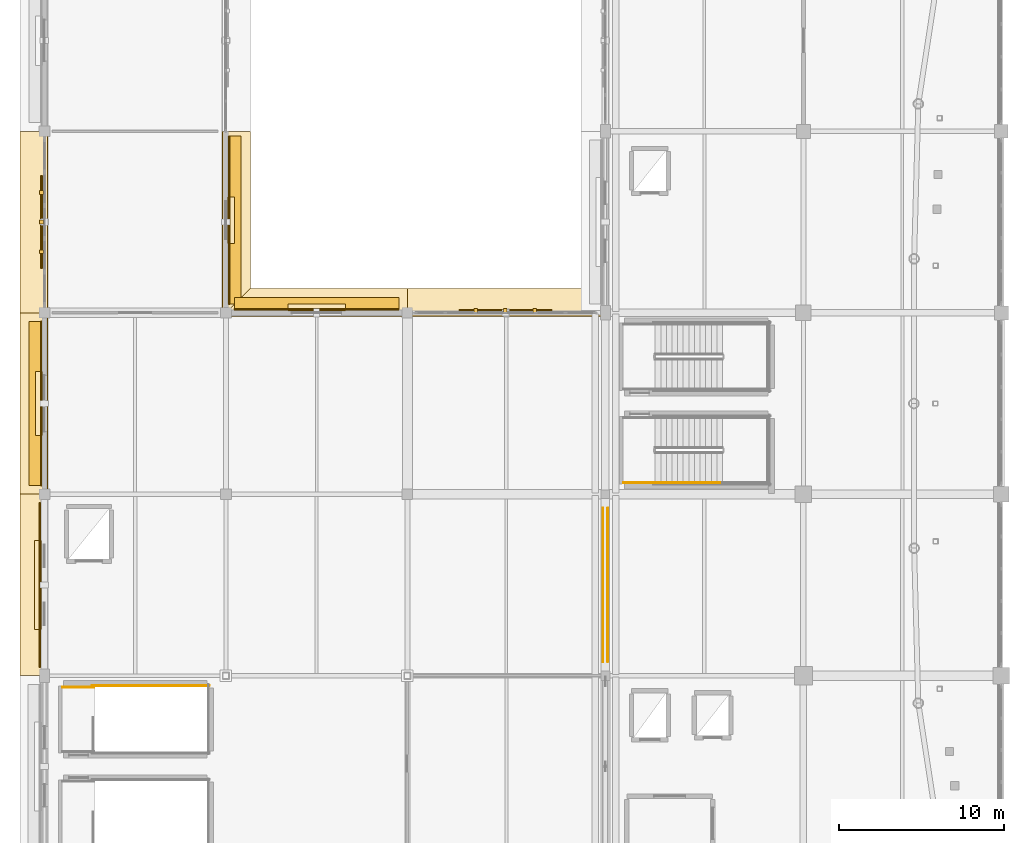
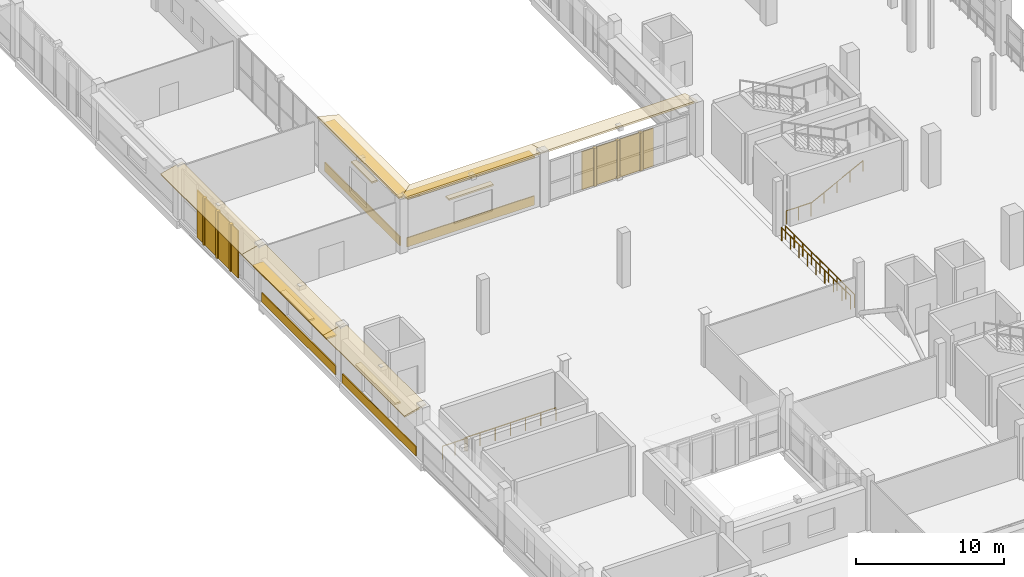
# One storey, part 99 of 118: 20 coverings, 6 railings, 5 shading devices.
"""IFC4 building model written with IfcOpenShell, lengths in metres."""

from ifc_helpers import new_model, si_unit, direction, frame, origin, origin_2d, place, context, subcontext, project, spatial, polyline, rectangle, circle, outline, extrude, material, layer, layer_set, type_object, element, save


model = new_model("IFC4")

# Units and contexts
model_context = context("Model", 3, precision=1e-05, world=origin(), true_north=direction((0.0, 1.0)))
body_context = subcontext(model_context, "Body", "Model", "MODEL_VIEW")
ifc_project = project(units=[si_unit("LENGTHUNIT", "METRE"), si_unit("AREAUNIT", "SQUARE_METRE"), si_unit("VOLUMEUNIT", "CUBIC_METRE"), si_unit("PLANEANGLEUNIT", "RADIAN"), si_unit("MASSUNIT", "GRAM", prefix="KILO")], contexts=[model_context])

# Site, building, storey
site_placement = place(None, origin())
site = spatial("IfcSite", under=ifc_project, at=site_placement, CompositionType="ELEMENT")
building_placement = place(site_placement, origin())
building = spatial("IfcBuilding", under=site, at=building_placement, Name="Luwafu Chhajja Arena", CompositionType="ELEMENT")
storey_placement = place(building_placement, frame((0.0, 0.0, 10.199951171875)))
storey = spatial("IfcBuildingStorey", under=building, at=storey_placement, Name="L02", CompositionType="ELEMENT", Elevation=10.199951171875)

# Coverings
ifc_material_1 = material(Name="Red laterite sandstone cladding", Category="masonry")
ifc_layer_1 = layer(ifc_material_1, 0.074951171875, Name="Red laterite sandstone cladding")
ifc_layer_set_1 = layer_set([ifc_layer_1], Name="Red laterite sandstone cladding")
covering_type = type_object("IfcCoveringType", Name="Dressed Red-Laterite Sandstone Cladding", PredefinedType="CLADDING", material=ifc_layer_set_1)
covering_1_placement = place(storey_placement, frame((0.199951171875, 33.0, 4.4599609375), z_axis=(-0.242502450825, 0.0, 0.970150793096), x_axis=(0.0, 1.0, 0.0)))
element("IfcCovering", 1, at=covering_1_placement, inside=storey, type_object=covering_type, Name="L02 Continuous Sloped Sandstone Chhajja Eave 0128", PredefinedType="CLADDING", context=body_context, shape_type="SweptSolid", body=[
    extrude(outline(polyline([(0.0, 0.0), (11.0, 0.0), (11.0, 1.731619097341133), (0.0, 1.731619097341133), (0.0, 0.0)])), origin(), (0.0, 0.0, -1.0), 0.1298828125),
])
covering_2_placement = place(storey_placement, frame((-0.257080078125, 38.5, 0.0), z_axis=(0.0, 0.0, 1.0), x_axis=(0.0, 1.0, 0.0)))
element("IfcCovering", 2, at=covering_2_placement, inside=storey, type_object=covering_type, Name="L02 Red-Laterite Sandstone Plinth Cladding 044", PredefinedType="CLADDING", context=body_context, shape_type="SweptSolid", body=[
    extrude(rectangle(XDim=9.9599609375, YDim=0.0849609375, at=origin_2d()), origin(), (0.0, 0.0, 1.0), 0.760009765625),
])
covering_3_placement = place(storey_placement, frame((-0.385009765625, 38.5, 2.93017578125), z_axis=(0.0, 0.0, 1.0), x_axis=(0.0, 1.0, 0.0)))
element("IfcCovering", 3, at=covering_3_placement, inside=storey, type_object=covering_type, Name="L02 Mughal Sandstone Window Chhajja Hood 0043", PredefinedType="CLADDING", context=body_context, shape_type="SweptSolid", body=[
    extrude(rectangle(XDim=5.3701171875, YDim=0.419921875, at=origin_2d()), origin(), (0.0, 0.0, 1.0), 0.139892578125),
])
covering_4_placement = place(storey_placement, frame((0.199951171875, 44.0, 4.4599609375), z_axis=(-0.242502450825, 0.0, 0.970150793096), x_axis=(0.0, 1.0, 0.0)))
element("IfcCovering", 4, at=covering_4_placement, inside=storey, type_object=covering_type, Name="L02 Continuous Sloped Sandstone Chhajja Eave 0129", PredefinedType="CLADDING", context=body_context, shape_type="SweptSolid", body=[
    extrude(outline(polyline([(0.0, 0.0), (11.0, 0.0), (11.0, 1.731619097341133), (0.0, 1.731619097341133), (0.0, 0.0)])), origin(), (0.0, 0.0, -1.0), 0.1298828125),
])
covering_5_placement = place(storey_placement, frame((-0.19189453125, 49.5, 0.0), z_axis=(0.0, 0.0, 1.0), x_axis=(0.0, 1.0, 0.0)))
element("IfcCovering", 5, at=covering_5_placement, inside=storey, type_object=covering_type, Name="L02 Red-Laterite Sandstone Plinth Cladding 045", PredefinedType="CLADDING", context=body_context, shape_type="SweptSolid", body=[
    extrude(rectangle(XDim=9.9599609375, YDim=0.0849609375, at=origin_2d()), origin(), (0.0, 0.0, 1.0), 0.760009765625),
])
covering_6_placement = place(storey_placement, frame((-0.320068359375, 49.5, 2.68017578125), z_axis=(0.0, 0.0, 1.0), x_axis=(0.0, 1.0, 0.0)))
element("IfcCovering", 6, at=covering_6_placement, inside=storey, type_object=covering_type, Name="L02 Mughal Sandstone Window Chhajja Hood 0044", PredefinedType="CLADDING", context=body_context, shape_type="SweptSolid", body=[
    extrude(rectangle(XDim=3.89990234375, YDim=0.419921875, at=origin_2d()), origin(), (0.0, 0.0, 1.0), 0.139892578125),
])
covering_7_placement = place(storey_placement, frame((0.199951171875, 55.0, 4.4599609375), z_axis=(-0.242502450825, 0.0, 0.970150793096), x_axis=(0.0, 1.0, 0.0)))
element("IfcCovering", 7, at=covering_7_placement, inside=storey, type_object=covering_type, Name="L02 Continuous Sloped Sandstone Chhajja Eave 0130", PredefinedType="CLADDING", context=body_context, shape_type="SweptSolid", body=[
    extrude(outline(polyline([(0.0, 0.0), (11.0, 0.0), (11.0, 1.731619097341133), (0.0, 1.731619097341133), (0.0, 0.0)])), origin(), (0.0, 0.0, -1.0), 0.1298828125),
])
for number, where, z_axis, x_axis, name in (
    (8, (-0.169921875, 58.7080078125, 0.0), (0.0, 0.0, 1.0), (0.0, 1.0, 0.0), "L02 Sandstone Jali Mullion Fin 027"),
    (9, (-0.169921875, 60.5, 0.0), (0.0, 0.0, 1.0), (0.0, 1.0, 0.0), "L02 Sandstone Jali Mullion Fin 027"),
    (10, (-0.169921875, 62.2919921875, 0.0), (0.0, 0.0, 1.0), (0.0, 1.0, 0.0), "L02 Sandstone Jali Mullion Fin 027"),
):
    element("IfcCovering", number, at=place(storey_placement, frame(where, z_axis=z_axis, x_axis=x_axis)), inside=storey, type_object=covering_type, Name=name, PredefinedType="CLADDING", context=body_context, shape_type="SweptSolid", body=[
        extrude(rectangle(XDim=0.219970703125, YDim=0.239990234375, at=origin_2d()), origin(), (0.0, 0.0, 1.0), 3.89501953125),
    ])
covering_8_placement = place(storey_placement, frame((10.800048828125, 55.0, 4.4599609375), z_axis=(0.242502450825, 0.0, 0.970150793096), x_axis=(0.0, 1.0, 0.0)))
element("IfcCovering", 11, at=covering_8_placement, inside=storey, type_object=covering_type, Name="L02 Continuous Sloped Sandstone Chhajja Eave 0131", PredefinedType="CLADDING", context=body_context, shape_type="SweptSolid", body=[
    extrude(outline(polyline([(0.0, 0.0), (11.0, 0.0), (11.0, -1.731619097341133), (0.0, -1.731619097341133), (0.0, 0.0)])), origin(), (0.0, 0.0, -1.0), 0.1298828125),
])
covering_9_placement = place(storey_placement, frame((11.19189453125, 60.610107421875, 0.0), z_axis=(0.0, 0.0, 1.0), x_axis=(0.0, 1.0, 0.0)))
element("IfcCovering", 12, at=covering_9_placement, inside=storey, type_object=covering_type, Name="L02 Red-Laterite Sandstone Plinth Cladding 046", PredefinedType="CLADDING", context=body_context, shape_type="SweptSolid", body=[
    extrude(rectangle(XDim=10.179931640625, YDim=0.0849609375, at=origin_2d()), origin(), (0.0, 0.0, 1.0), 0.760009765625),
])
covering_10_placement = place(storey_placement, frame((11.320068359375, 60.610107421875, 2.93017578125), z_axis=(0.0, 0.0, 1.0), x_axis=(0.0, 1.0, 0.0)))
element("IfcCovering", 13, at=covering_10_placement, inside=storey, type_object=covering_type, Name="L02 Mughal Sandstone Window Chhajja Hood 0045", PredefinedType="CLADDING", context=body_context, shape_type="SweptSolid", body=[
    extrude(rectangle(XDim=2.800048828125, YDim=0.419921875, at=origin_2d()), origin(), (0.0, 0.0, 1.0), 0.139892578125),
])
covering_11_placement = place(storey_placement, frame((11.0, 54.800048828125, 4.4599609375), z_axis=(0.0, 0.242502450825, 0.970150793096), x_axis=(1.0, 0.0, 0.0)))
element("IfcCovering", 14, at=covering_11_placement, inside=storey, type_object=covering_type, Name="L02 Continuous Sloped Sandstone Chhajja Eave 0141", PredefinedType="CLADDING", context=body_context, shape_type="SweptSolid", body=[
    extrude(outline(polyline([(0.0, 0.0), (11.0, 0.0), (11.0, 1.731619097341133), (0.0, 1.731619097341133), (0.0, 0.0)])), origin(), (0.0, 0.0, -1.0), 0.1298828125),
])
covering_12_placement = place(storey_placement, frame((16.5, 55.19189453125, 0.0), z_axis=(0.0, 0.0, 1.0), x_axis=(1.0, 0.0, 0.0)))
element("IfcCovering", 15, at=covering_12_placement, inside=storey, type_object=covering_type, Name="L02 Red-Laterite Sandstone Plinth Cladding 051", PredefinedType="CLADDING", context=body_context, shape_type="SweptSolid", body=[
    extrude(rectangle(XDim=9.9599609375, YDim=0.0849609375, at=origin_2d()), origin(), (0.0, 0.0, 1.0), 0.760009765625),
])
covering_13_placement = place(storey_placement, frame((16.5, 55.320068359375, 2.72998046875), z_axis=(0.0, 0.0, 1.0), x_axis=(1.0, 0.0, 0.0)))
element("IfcCovering", 16, at=covering_13_placement, inside=storey, type_object=covering_type, Name="L02 Mughal Sandstone Window Chhajja Hood 0050", PredefinedType="CLADDING", context=body_context, shape_type="SweptSolid", body=[
    extrude(rectangle(XDim=3.5, YDim=0.419921875, at=origin_2d()), origin(), (0.0, 0.0, 1.0), 0.139892578125),
])
covering_14_placement = place(storey_placement, frame((22.0, 54.800048828125, 4.4599609375), z_axis=(0.0, 0.242502450825, 0.970150793096), x_axis=(1.0, 0.0, 0.0)))
element("IfcCovering", 17, at=covering_14_placement, inside=storey, type_object=covering_type, Name="L02 Continuous Sloped Sandstone Chhajja Eave 0146", PredefinedType="CLADDING", context=body_context, shape_type="SweptSolid", body=[
    extrude(outline(polyline([(0.0, 0.0), (12.0, 0.0), (12.0, 1.731619097341133), (0.0, 1.731619097341133), (0.0, 0.0)])), origin(), (0.0, 0.0, -1.0), 0.1298828125),
])
for number, where, z_axis, x_axis, name in (
    (18, (26.1455078125, 55.1298828125, 0.0), (0.0, 0.0, 1.0), (1.0, 0.0, 0.0), "L02 Sandstone Jali Mullion Fin 034"),
    (19, (27.9375, 55.1298828125, 0.0), (0.0, 0.0, 1.0), (1.0, 0.0, 0.0), "L02 Sandstone Jali Mullion Fin 034"),
    (20, (29.7294921875, 55.1298828125, 0.0), (0.0, 0.0, 1.0), (1.0, 0.0, 0.0), "L02 Sandstone Jali Mullion Fin 034"),
):
    element("IfcCovering", number, at=place(storey_placement, frame(where, z_axis=z_axis, x_axis=x_axis)), inside=storey, type_object=covering_type, Name=name, PredefinedType="CLADDING", context=body_context, shape_type="SweptSolid", body=[
        extrude(rectangle(XDim=0.219970703125, YDim=0.239990234375, at=origin_2d()), origin(), (0.0, 0.0, 1.0), 3.139892578125),
    ])

# Shading devices
ifc_material_2 = material(Name="Pierced buff sandstone jali", Category="masonry")
ifc_layer_2 = layer(ifc_material_2, 0.080078125, Name="Pierced buff sandstone jali")
ifc_layer_set_2 = layer_set([ifc_layer_2], Name="Pierced buff sandstone jali")
shading_device_type_1 = type_object("IfcShadingDeviceType", Name="Pierced Buff-Sandstone Jali Screen", PredefinedType="JALOUSIE", material=ifc_layer_set_2)
shading_device_1_placement = place(storey_placement, frame((-0.169921875, 60.5, 0.0), z_axis=(0.0, 0.0, 1.0), x_axis=(0.0, 1.0, 0.0)))
element("IfcShadingDevice", 21, at=shading_device_1_placement, inside=storey, type_object=shading_device_type_1, Name="L02 Pierced Buff-Sandstone Jali Screen 027", PredefinedType="JALOUSIE", context=body_context, shape_type="SweptSolid", body=[
    extrude(rectangle(XDim=5.60009765625, YDim=0.080078125, at=origin_2d()), origin(), (0.0, 0.0, 1.0), 3.89501953125),
])
shading_device_2_placement = place(storey_placement, frame((27.9375, 55.1298828125, 0.0), z_axis=(0.0, 0.0, 1.0), x_axis=(1.0, 0.0, 0.0)))
element("IfcShadingDevice", 22, at=shading_device_2_placement, inside=storey, type_object=shading_device_type_1, Name="L02 Pierced Buff-Sandstone Jali Screen 034", PredefinedType="JALOUSIE", context=body_context, shape_type="SweptSolid", body=[
    extrude(rectangle(XDim=5.60009765625, YDim=0.080078125, at=origin_2d()), origin(), (0.0, 0.0, 1.0), 3.139892578125),
])
ifc_material_3 = material(Name="Red laterite sandstone chhajja", Category="masonry")
ifc_layer_3 = layer(ifc_material_3, 0.1201171875, Name="Red laterite sandstone chhajja")
ifc_layer_set_3 = layer_set([ifc_layer_3], Name="Red laterite sandstone chhajja")
shading_device_type_2 = type_object("IfcShadingDeviceType", Name="Sloped Red-Sandstone Chhajja Eave", PredefinedType="USERDEFINED", material=ifc_layer_set_3)
shading_device_3_placement = place(storey_placement, frame((-0.52001953125, 49.5, 3.18505859375), z_axis=(0.0, 0.0, 1.0), x_axis=(0.0, 1.0, 0.0)))
element("IfcShadingDevice", 23, at=shading_device_3_placement, inside=storey, type_object=shading_device_type_2, Name="L02 Sloped Red-Sandstone Chhajja Eave 042", ObjectType="CHHAJJA", PredefinedType="USERDEFINED", context=body_context, shape_type="SweptSolid", body=[
    extrude(rectangle(XDim=9.9599609375, YDim=0.820068359375, at=origin_2d()), origin(), (0.0, 0.0, 1.0), 0.1201171875),
])
shading_device_4_placement = place(storey_placement, frame((11.52001953125, 60.610107421875, 3.925048828125), z_axis=(0.0, 0.0, 1.0), x_axis=(0.0, 1.0, 0.0)))
element("IfcShadingDevice", 24, at=shading_device_4_placement, inside=storey, type_object=shading_device_type_2, Name="L02 Sloped Red-Sandstone Chhajja Eave 043", ObjectType="CHHAJJA", PredefinedType="USERDEFINED", context=body_context, shape_type="SweptSolid", body=[
    extrude(rectangle(XDim=10.179931640625, YDim=0.820068359375, at=origin_2d()), origin(), (0.0, 0.0, 1.0), 0.1201171875),
])
shading_device_5_placement = place(storey_placement, frame((16.5, 55.52001953125, 3.925048828125), z_axis=(0.0, 0.0, 1.0), x_axis=(1.0, 0.0, 0.0)))
element("IfcShadingDevice", 25, at=shading_device_5_placement, inside=storey, type_object=shading_device_type_2, Name="L02 Sloped Red-Sandstone Chhajja Eave 048", ObjectType="CHHAJJA", PredefinedType="USERDEFINED", context=body_context, shape_type="SweptSolid", body=[
    extrude(rectangle(XDim=9.9599609375, YDim=0.820068359375, at=origin_2d()), origin(), (0.0, 0.0, 1.0), 0.1201171875),
])

# Railings
ifc_material_4 = material(Name="Stainless steel handrail", Category="steel")
railing_type_1 = type_object("IfcRailingType", Name="Stair Pitch Wall Handrail 920", PredefinedType="HANDRAIL", material=ifc_material_4)
railing_1_placement = place(storey_placement, frame((37.02001953125, 44.699951171875, 0.173095703125)))
element("IfcRailing", 26, at=railing_1_placement, inside=storey, type_object=railing_type_1, Name="L02 ST-09 stair handrail 1", PredefinedType="HANDRAIL", context=body_context, shape_type="SweptSolid", body=[
    extrude(circle(Radius=0.02392578125, at=origin_2d()), frame((0.0, 0.0, 0.8759765625), z_axis=(0.891183106714, 0.0, 0.453643770274), x_axis=(0.0, 1.0, 0.0)), (0.0, 0.0, 1.0), 4.578369140625),
    extrude(circle(Radius=0.02099609375, at=origin_2d()), origin(), (0.0, 0.0, 1.0), 0.851806640625),
    extrude(circle(Radius=0.02099609375, at=origin_2d()), frame((1.02001953125, 0.0, 0.519287109375)), (0.0, 0.0, 1.0), 0.851806640625),
    extrude(circle(Radius=0.02099609375, at=origin_2d()), frame((2.0400390625, 0.0, 1.03857421875)), (0.0, 0.0, 1.0), 0.851806640625),
    extrude(circle(Radius=0.02099609375, at=origin_2d()), frame((3.06005859375, 0.0, 1.5576171875)), (0.0, 0.0, 1.0), 0.851806640625),
    extrude(circle(Radius=0.02099609375, at=origin_2d()), frame((4.080078125, 0.0, 2.076904296875)), (0.0, 0.0, 1.0), 0.851806640625),
])
ifc_material_5 = material(Name="Stainless steel balustrade", Category="steel")
railing_type_2 = type_object("IfcRailingType", Name="Stair and Terrace Guard Balustrade 1100", PredefinedType="BALUSTRADE", material=ifc_material_5)
railing_2_placement = place(storey_placement, frame((35.10009765625, 44.699951171875, 0.0)))
element("IfcRailing", 27, at=railing_2_placement, inside=storey, type_object=railing_type_2, Name="L02 ST-09 stair guard 8", PredefinedType="BALUSTRADE", context=body_context, shape_type="SweptSolid", body=[
    extrude(circle(Radius=0.02392578125, at=origin_2d()), frame((0.0, 0.0, 1.076171875), z_axis=(1.0, 0.0, 0.0), x_axis=(0.0, 1.0, 0.0)), (0.0, 0.0, 1.0), 1.919921875),
    extrude(circle(Radius=0.02099609375, at=origin_2d()), origin(), (0.0, 0.0, 1.0), 1.052001953125),
    extrude(circle(Radius=0.02099609375, at=origin_2d()), frame((0.9599609375, 0.0, 0.0)), (0.0, 0.0, 1.0), 1.052001953125),
    extrude(circle(Radius=0.02099609375, at=origin_2d()), frame((1.919921875, 0.0, 0.0)), (0.0, 0.0, 1.0), 1.052001953125),
])
railing_3_placement = place(storey_placement, frame((2.89990234375, 32.39990234375, 0.0)))
element("IfcRailing", 28, at=railing_3_placement, inside=storey, type_object=railing_type_2, Name="L02 ST-14 top well guard 3", PredefinedType="BALUSTRADE", context=body_context, shape_type="SweptSolid", body=[
    extrude(circle(Radius=0.02392578125, at=origin_2d()), frame((0.0, 0.0, 1.076171875), z_axis=(1.0, 0.0, 0.0), x_axis=(0.0, 1.0, 0.0)), (0.0, 0.0, 1.0), 7.10009765625),
    extrude(circle(Radius=0.02099609375, at=origin_2d()), origin(), (0.0, 0.0, 1.0), 1.052001953125),
    extrude(circle(Radius=0.02099609375, at=origin_2d()), frame((1.183349609375, 0.0, 0.0)), (0.0, 0.0, 1.0), 1.052001953125),
    extrude(circle(Radius=0.02099609375, at=origin_2d()), frame((2.36669921875, 0.0, 0.0)), (0.0, 0.0, 1.0), 1.052001953125),
    extrude(circle(Radius=0.02099609375, at=origin_2d()), frame((3.550048828125, 0.0, 0.0)), (0.0, 0.0, 1.0), 1.052001953125),
    extrude(circle(Radius=0.02099609375, at=origin_2d()), frame((4.7333984375, 0.0, 0.0)), (0.0, 0.0, 1.0), 1.052001953125),
    extrude(circle(Radius=0.02099609375, at=origin_2d()), frame((5.916748046875, 0.0, 0.0)), (0.0, 0.0, 1.0), 1.052001953125),
    extrude(circle(Radius=0.02099609375, at=origin_2d()), frame((7.10009765625, 0.0, 0.0)), (0.0, 0.0, 1.0), 1.052001953125),
])
railing_4_placement = place(storey_placement, frame((1.10009765625, 32.300048828125, 0.0)))
element("IfcRailing", 29, at=railing_4_placement, inside=storey, type_object=railing_type_2, Name="L02 ST-14 top well guard 6", PredefinedType="BALUSTRADE", context=body_context, shape_type="SweptSolid", body=[
    extrude(circle(Radius=0.02392578125, at=origin_2d()), frame((0.0, 0.0, 1.076171875), z_axis=(1.0, 0.0, 0.0), x_axis=(0.0, 1.0, 0.0)), (0.0, 0.0, 1.0), 1.89990234375),
    extrude(circle(Radius=0.02099609375, at=origin_2d()), origin(), (0.0, 0.0, 1.0), 1.052001953125),
    extrude(circle(Radius=0.02099609375, at=origin_2d()), frame((0.949951171875, 0.0, 0.0)), (0.0, 0.0, 1.0), 1.052001953125),
    extrude(circle(Radius=0.02099609375, at=origin_2d()), frame((1.89990234375, 0.0, 0.0)), (0.0, 0.0, 1.0), 1.052001953125),
])
railing_5_placement = place(storey_placement, frame((34.14990234375, 33.85009765625, 0.0)))
element("IfcRailing", 30, at=railing_5_placement, inside=storey, type_object=railing_type_2, Name="L02 Outer Slab Edge Guard 001", PredefinedType="BALUSTRADE", context=body_context, shape_type="SweptSolid", body=[
    extrude(circle(Radius=0.02392578125, at=origin_2d()), frame((0.0, 0.0, 1.09619140625), z_axis=(0.0, 1.0, 0.0), x_axis=(-1.0, 0.0, 0.0)), (0.0, 0.0, 1.0), 9.2998046875),
    extrude(circle(Radius=0.02099609375, at=origin_2d()), origin(), (0.0, 0.0, 1.0), 1.072021484375),
    extrude(circle(Radius=0.02099609375, at=origin_2d()), frame((0.0, 1.16259765625, 0.0)), (0.0, 0.0, 1.0), 1.072021484375),
    extrude(circle(Radius=0.02099609375, at=origin_2d()), frame((0.0, 2.324951171875, 0.0)), (0.0, 0.0, 1.0), 1.072021484375),
    extrude(circle(Radius=0.02099609375, at=origin_2d()), frame((0.0, 3.4873046875, 0.0)), (0.0, 0.0, 1.0), 1.072021484375),
    extrude(circle(Radius=0.02099609375, at=origin_2d()), frame((0.0, 4.64990234375, 0.0)), (0.0, 0.0, 1.0), 1.072021484375),
    extrude(circle(Radius=0.02099609375, at=origin_2d()), frame((0.0, 5.8125, 0.0)), (0.0, 0.0, 1.0), 1.072021484375),
    extrude(circle(Radius=0.02099609375, at=origin_2d()), frame((0.0, 6.974853515625, 0.0)), (0.0, 0.0, 1.0), 1.072021484375),
    extrude(circle(Radius=0.02099609375, at=origin_2d()), frame((0.0, 8.13720703125, 0.0)), (0.0, 0.0, 1.0), 1.072021484375),
    extrude(circle(Radius=0.02099609375, at=origin_2d()), frame((0.0, 9.2998046875, 0.0)), (0.0, 0.0, 1.0), 1.072021484375),
])
railing_6_placement = place(storey_placement, frame((33.85009765625, 43.14990234375, 0.0)))
element("IfcRailing", 31, at=railing_6_placement, inside=storey, type_object=railing_type_2, Name="L02 Outer Slab Edge Guard 008", PredefinedType="BALUSTRADE", context=body_context, shape_type="SweptSolid", body=[
    extrude(circle(Radius=0.02392578125, at=origin_2d()), frame((0.0, 0.0, 1.09619140625), z_axis=(0.0, -1.0, 0.0), x_axis=(1.0, 0.0, 0.0)), (0.0, 0.0, 1.0), 9.2998046875),
    extrude(circle(Radius=0.02099609375, at=origin_2d()), origin(), (0.0, 0.0, 1.0), 1.072021484375),
    extrude(circle(Radius=0.02099609375, at=origin_2d()), frame((0.0, -1.16259765625, 0.0)), (0.0, 0.0, 1.0), 1.072021484375),
    extrude(circle(Radius=0.02099609375, at=origin_2d()), frame((0.0, -2.324951171875, 0.0)), (0.0, 0.0, 1.0), 1.072021484375),
    extrude(circle(Radius=0.02099609375, at=origin_2d()), frame((0.0, -3.4873046875, 0.0)), (0.0, 0.0, 1.0), 1.072021484375),
    extrude(circle(Radius=0.02099609375, at=origin_2d()), frame((0.0, -4.64990234375, 0.0)), (0.0, 0.0, 1.0), 1.072021484375),
    extrude(circle(Radius=0.02099609375, at=origin_2d()), frame((0.0, -5.8125, 0.0)), (0.0, 0.0, 1.0), 1.072021484375),
    extrude(circle(Radius=0.02099609375, at=origin_2d()), frame((0.0, -6.974853515625, 0.0)), (0.0, 0.0, 1.0), 1.072021484375),
    extrude(circle(Radius=0.02099609375, at=origin_2d()), frame((0.0, -8.13720703125, 0.0)), (0.0, 0.0, 1.0), 1.072021484375),
    extrude(circle(Radius=0.02099609375, at=origin_2d()), frame((0.0, -9.2998046875, 0.0)), (0.0, 0.0, 1.0), 1.072021484375),
])

save(model, "model.ifc")
